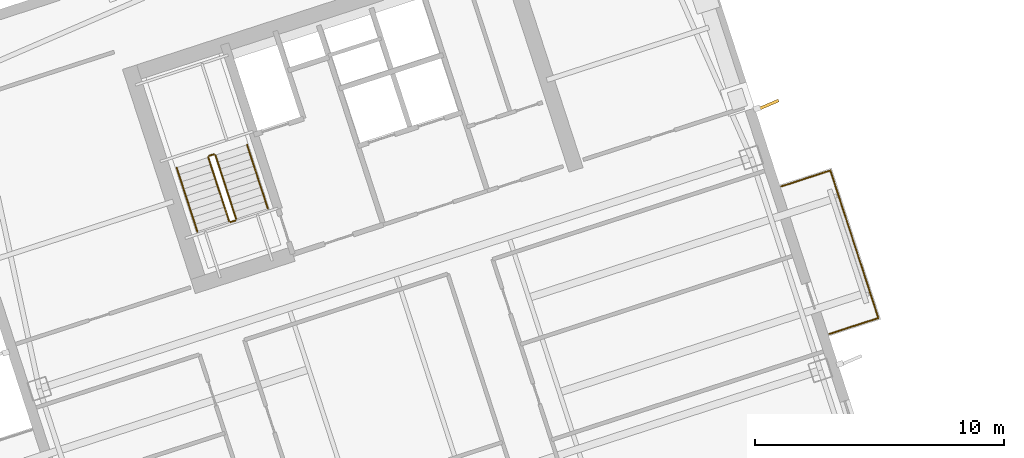
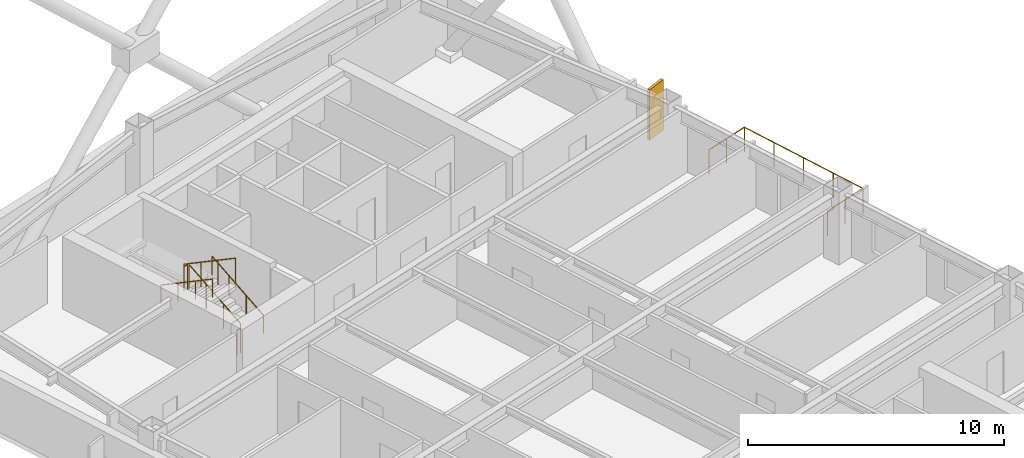
# One storey, part 18 of 18: 7 railings, 1 shading device.
"""IFC4 building model written with IfcOpenShell, lengths in metres."""

from ifc_helpers import new_model, si_unit, direction, frame, origin, origin_2d, place, context, subcontext, project, spatial, rectangle, circle, extrude, material, layer, layer_set, type_object, element, save


model = new_model("IFC4")

# Units and contexts
model_context = context("Model", 3, precision=1e-05, world=origin(), true_north=direction((0.0, 1.0)))
body_context = subcontext(model_context, "Body", "Model", "MODEL_VIEW")
ifc_project = project(units=[si_unit("LENGTHUNIT", "METRE"), si_unit("AREAUNIT", "SQUARE_METRE"), si_unit("VOLUMEUNIT", "CUBIC_METRE"), si_unit("PLANEANGLEUNIT", "RADIAN"), si_unit("MASSUNIT", "GRAM", prefix="KILO")], contexts=[model_context])

# Site, building, storey
site_placement = place(None, origin())
site = spatial("IfcSite", under=ifc_project, at=site_placement, CompositionType="ELEMENT")
building_placement = place(site_placement, origin())
building = spatial("IfcBuilding", under=site, at=building_placement, Name="Qiaolan Cultural Towers", CompositionType="ELEMENT")
storey_placement = place(building_placement, frame((0.0, 0.0, 163.300048828125)))
storey = spatial("IfcBuildingStorey", under=building, at=storey_placement, Name="L43", CompositionType="ELEMENT", Elevation=163.300048828125)

# Railings
ifc_material_1 = material(Name="Laminated SentryGlas & Stainless Steel S31608 Balustrade", Category="steel")
railing_type_1 = type_object("IfcRailingType", Name="GRD-TERR-1200", PredefinedType="BALUSTRADE", material=ifc_material_1)
railing_1_placement = place(storey_placement, frame((104.6787109375, 40.115234375, 0.0)))
element("IfcRailing", 1, at=railing_1_placement, inside=storey, type_object=railing_type_1, Name="L43 T2 Tree Balcony Guardrail E", PredefinedType="BALUSTRADE", context=body_context, shape_type="SweptSolid", body=[
    extrude(circle(Radius=0.02392578125, at=origin_2d()), frame((0.0, 0.0, 1.17578125), z_axis=(0.951061799618, 0.309000733507, 0.0), x_axis=(-0.309000733507, 0.951061799618, 0.0)), (0.0, 0.0, 1.0), 2.070068359375),
    extrude(circle(Radius=0.02392578125, at=origin_2d()), frame((1.96875, 0.6396484375, 1.17578125), z_axis=(-0.30901175762, 0.951058217804, 0.0), x_axis=(-0.951058217804, -0.30901175762, 0.0)), (0.0, 0.0, 1.0), 6.239990234375),
    extrude(circle(Radius=0.02392578125, at=origin_2d()), frame((0.04052734375, 6.57421875, 1.17578125), z_axis=(-0.951061799618, -0.309000733507, 0.0), x_axis=(0.309000733507, -0.951061799618, 0.0)), (0.0, 0.0, 1.0), 2.070068359375),
    extrude(circle(Radius=0.02099609375, at=origin_2d()), origin(), (0.0, 0.0, 1.0), 1.15185546875),
    extrude(circle(Radius=0.02099609375, at=origin_2d()), frame((0.984375, 0.31982421875, 0.0)), (0.0, 0.0, 1.0), 1.15185546875),
    extrude(circle(Radius=0.02099609375, at=origin_2d()), frame((1.96875, 0.6396484375, 0.0)), (0.0, 0.0, 1.0), 1.15185546875),
    extrude(circle(Radius=0.02099609375, at=origin_2d()), frame((1.48681640625, 2.123291015625, 0.0)), (0.0, 0.0, 1.0), 1.15185546875),
    extrude(circle(Radius=0.02099609375, at=origin_2d()), frame((1.004638671875, 3.60693359375, 0.0)), (0.0, 0.0, 1.0), 1.15185546875),
    extrude(circle(Radius=0.02099609375, at=origin_2d()), frame((0.5224609375, 5.090576171875, 0.0)), (0.0, 0.0, 1.0), 1.15185546875),
    extrude(circle(Radius=0.02099609375, at=origin_2d()), frame((0.04052734375, 6.57421875, 0.0)), (0.0, 0.0, 1.0), 1.15185546875),
    extrude(circle(Radius=0.02099609375, at=origin_2d()), frame((-0.94384765625, 6.25439453125, 0.0)), (0.0, 0.0, 1.0), 1.15185546875),
    extrude(circle(Radius=0.02099609375, at=origin_2d()), frame((-1.92822265625, 5.9345703125, 0.0)), (0.0, 0.0, 1.0), 1.15185546875),
])
ifc_material_2 = material(Name="Galvanized Painted Steel Stair Guardrail", Category="steel")
railing_type_2 = type_object("IfcRailingType", Name="RL-STAIR-GRD", PredefinedType="GUARDRAIL", material=ifc_material_2)
railing_2_placement = place(storey_placement, frame((80.822021484375, 44.739501953125, 0.17236328125)))
element("IfcRailing", 2, at=railing_2_placement, inside=storey, type_object=railing_type_2, Name="L43 ST-E2 stair guard 1", PredefinedType="GUARDRAIL", context=body_context, shape_type="SweptSolid", body=[
    extrude(circle(Radius=0.02392578125, at=origin_2d()), frame((0.0, 0.0, 1.17578125), z_axis=(-0.26785290645, 0.824488402118, 0.498471358535), x_axis=(-0.951069945308, -0.308975661068, 0.0)), (0.0, 0.0, 1.0), 3.114501953125),
    extrude(circle(Radius=0.02099609375, at=origin_2d()), origin(), (0.0, 0.0, 1.0), 1.15185546875),
    extrude(circle(Radius=0.02099609375, at=origin_2d()), frame((-0.278076171875, 0.85595703125, 0.517578125)), (0.0, 0.0, 1.0), 1.15185546875),
    extrude(circle(Radius=0.02099609375, at=origin_2d()), frame((-0.55615234375, 1.7119140625, 1.034912109375)), (0.0, 0.0, 1.0), 1.15185546875),
    extrude(circle(Radius=0.02099609375, at=origin_2d()), frame((-0.834228515625, 2.56787109375, 1.552490234375)), (0.0, 0.0, 1.0), 1.15185546875),
])
railing_3_placement = place(storey_placement, frame((79.9248046875, 47.33935546875, 1.724853515625)))
element("IfcRailing", 3, at=railing_3_placement, inside=storey, type_object=railing_type_2, Name="L43 ST-E2 stair guard 2", PredefinedType="GUARDRAIL", context=body_context, shape_type="SweptSolid", body=[
    extrude(circle(Radius=0.02392578125, at=origin_2d()), frame((0.0, 0.0, 1.17578125), z_axis=(-0.951096855055, -0.308892816854, 0.0), x_axis=(0.308892816854, -0.951096855055, 0.0)), (0.0, 0.0, 1.0), 0.199951171875),
    extrude(circle(Radius=0.02099609375, at=origin_2d()), origin(), (0.0, 0.0, 1.0), 1.15185546875),
    extrude(circle(Radius=0.02099609375, at=origin_2d()), frame((-0.190185546875, -0.061767578125, 0.0)), (0.0, 0.0, 1.0), 1.15185546875),
])
railing_4_placement = place(storey_placement, frame((79.702392578125, 47.214599609375, 1.8974609375)))
element("IfcRailing", 4, at=railing_4_placement, inside=storey, type_object=railing_type_2, Name="L43 ST-E2 stair guard 3", PredefinedType="GUARDRAIL", context=body_context, shape_type="SweptSolid", body=[
    extrude(circle(Radius=0.02392578125, at=origin_2d()), frame((0.0, 0.0, 1.17578125), z_axis=(0.267925668498, -0.824471088726, 0.498460891159), x_axis=(0.951043371037, 0.309057448393, 0.0)), (0.0, 0.0, 1.0), 3.114501953125),
    extrude(circle(Radius=0.02099609375, at=origin_2d()), origin(), (0.0, 0.0, 1.0), 1.15185546875),
    extrude(circle(Radius=0.02099609375, at=origin_2d()), frame((0.278076171875, -0.85595703125, 0.517578125)), (0.0, 0.0, 1.0), 1.15185546875),
    extrude(circle(Radius=0.02099609375, at=origin_2d()), frame((0.556396484375, -1.7119140625, 1.034912109375)), (0.0, 0.0, 1.0), 1.15185546875),
    extrude(circle(Radius=0.02099609375, at=origin_2d()), frame((0.83447265625, -2.56787109375, 1.552490234375)), (0.0, 0.0, 1.0), 1.15185546875),
])
railing_5_placement = place(storey_placement, frame((80.7900390625, 44.676513671875, 0.0)))
element("IfcRailing", 5, at=railing_5_placement, inside=storey, type_object=railing_type_2, Name="L43 ST-E2 stair guard 4", PredefinedType="GUARDRAIL", context=body_context, shape_type="SweptSolid", body=[
    extrude(circle(Radius=0.02392578125, at=origin_2d()), frame((0.0, 0.0, 1.17578125), z_axis=(-0.951096855055, -0.308892816854, 0.0), x_axis=(0.308892816854, -0.951096855055, 0.0)), (0.0, 0.0, 1.0), 0.199951171875),
    extrude(circle(Radius=0.02099609375, at=origin_2d()), origin(), (0.0, 0.0, 1.0), 1.15185546875),
    extrude(circle(Radius=0.02099609375, at=origin_2d()), frame((-0.190185546875, -0.061767578125, 0.0)), (0.0, 0.0, 1.0), 1.15185546875),
])
ifc_material_3 = material(Name="Stainless Steel S30408 Tubular Handrail", Category="steel")
railing_type_3 = type_object("IfcRailingType", Name="RL-STAIR-HR", PredefinedType="HANDRAIL", material=ifc_material_3)
railing_6_placement = place(storey_placement, frame((82.096435546875, 45.153564453125, 0.17236328125)))
element("IfcRailing", 6, at=railing_6_placement, inside=storey, type_object=railing_type_3, Name="L43 ST-E2 stair handrail 1", PredefinedType="HANDRAIL", context=body_context, shape_type="SweptSolid", body=[
    extrude(circle(Radius=0.02392578125, at=origin_2d()), frame((0.0, 0.0, 0.8759765625), z_axis=(-0.26785290645, 0.824488402118, 0.498471358535), x_axis=(-0.951069945308, -0.308975661068, 0.0)), (0.0, 0.0, 1.0), 3.114501953125),
    extrude(circle(Radius=0.02099609375, at=origin_2d()), origin(), (0.0, 0.0, 1.0), 0.851806640625),
    extrude(circle(Radius=0.02099609375, at=origin_2d()), frame((-0.278076171875, 0.85595703125, 0.517578125)), (0.0, 0.0, 1.0), 0.851806640625),
    extrude(circle(Radius=0.02099609375, at=origin_2d()), frame((-0.55615234375, 1.7119140625, 1.034912109375)), (0.0, 0.0, 1.0), 0.851806640625),
    extrude(circle(Radius=0.02099609375, at=origin_2d()), frame((-0.834228515625, 2.56787109375, 1.552490234375)), (0.0, 0.0, 1.0), 0.851806640625),
])
railing_7_placement = place(storey_placement, frame((78.427978515625, 46.800537109375, 1.8974609375)))
element("IfcRailing", 7, at=railing_7_placement, inside=storey, type_object=railing_type_3, Name="L43 ST-E2 stair handrail 2", PredefinedType="HANDRAIL", context=body_context, shape_type="SweptSolid", body=[
    extrude(circle(Radius=0.02392578125, at=origin_2d()), frame((0.0, 0.0, 0.8759765625), z_axis=(0.267925668498, -0.824471088726, 0.498460891159), x_axis=(0.951043371037, 0.309057448393, 0.0)), (0.0, 0.0, 1.0), 3.114501953125),
    extrude(circle(Radius=0.02099609375, at=origin_2d()), origin(), (0.0, 0.0, 1.0), 0.851806640625),
    extrude(circle(Radius=0.02099609375, at=origin_2d()), frame((0.278076171875, -0.85595703125, 0.517578125)), (0.0, 0.0, 1.0), 0.851806640625),
    extrude(circle(Radius=0.02099609375, at=origin_2d()), frame((0.556396484375, -1.7119140625, 1.034912109375)), (0.0, 0.0, 1.0), 0.851806640625),
    extrude(circle(Radius=0.02099609375, at=origin_2d()), frame((0.83447265625, -2.56787109375, 1.552490234375)), (0.0, 0.0, 1.0), 0.851806640625),
])

# Shading device
ifc_material_4 = material(Name="Pierced Warm Terracotta Acoustic Fin", Category="masonry")
ifc_layer = layer(ifc_material_4, 0.1201171875)
ifc_layer_set = layer_set([ifc_layer], Name="Pierced Warm Terracotta Acoustic Fin")
shading_device_type = type_object("IfcShadingDeviceType", Name="SHD-FIN-PIERCED", PredefinedType="USERDEFINED", material=ifc_layer_set)
shading_device_placement = place(storey_placement, frame((102.221923828125, 49.326904296875, 0.10009765625), z_axis=(0.0, 0.0, 1.0), x_axis=(0.919613873492, 0.392823527404, 0.0)))
element("IfcShadingDevice", 8, at=shading_device_placement, inside=storey, type_object=shading_device_type, Name="L43 T2 Expressive Precast Vertical Fin E3", ObjectType="FIN", PredefinedType="USERDEFINED", context=body_context, shape_type="SweptSolid", body=[
    extrude(rectangle(XDim=0.89990234375, YDim=0.1201171875, at=origin_2d()), origin(), (0.0, 0.0, 1.0), 2.409912109375),
])

save(model, "model.ifc")
